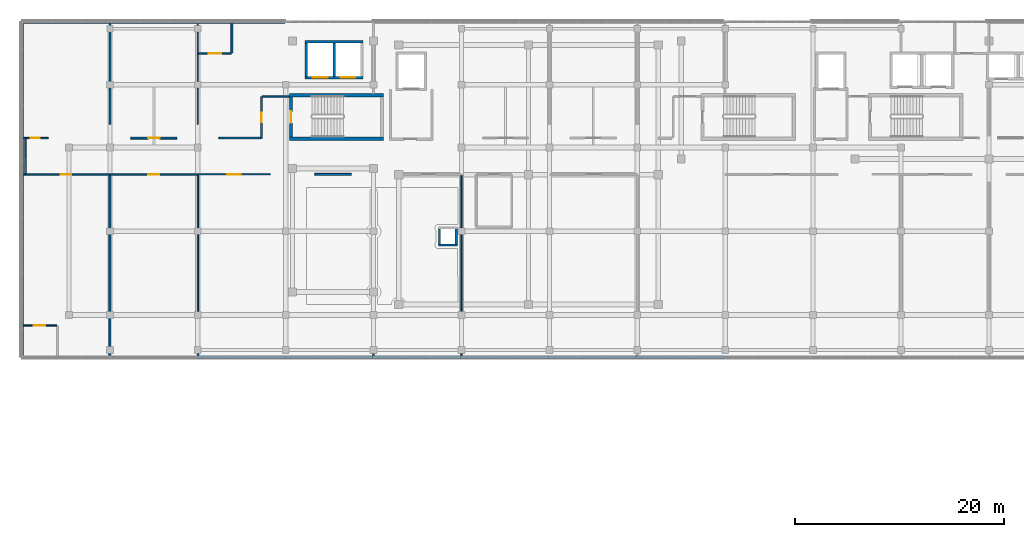
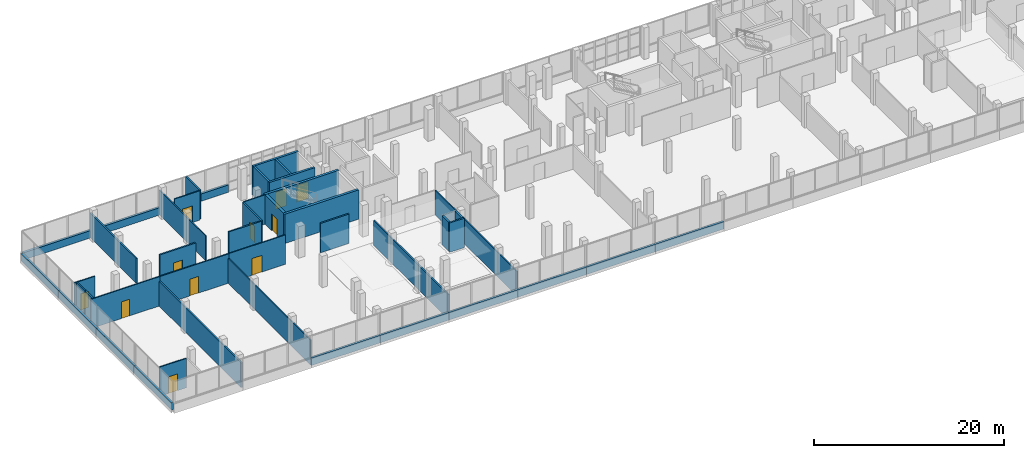
# One storey, part 66 of 76: 43 walls, 11 doors, 11 openings.
"""IFC4 building model written with IfcOpenShell, lengths in metres."""

from ifc_helpers import new_model, si_unit, direction, frame, frame_2d, origin, place, context, subcontext, project, spatial, rectangle, extrude, material, layer, layer_set, type_object, element, fill, save


model = new_model("IFC4")

# Units and contexts
model_context = context("Model", 3, precision=1e-05, world=origin(), true_north=direction((0.0, 1.0)))
body_context = subcontext(model_context, "Body", "Model", "MODEL_VIEW")
ifc_project = project(units=[si_unit("LENGTHUNIT", "METRE"), si_unit("AREAUNIT", "SQUARE_METRE"), si_unit("VOLUMEUNIT", "CUBIC_METRE"), si_unit("PLANEANGLEUNIT", "RADIAN"), si_unit("MASSUNIT", "GRAM", prefix="KILO")], contexts=[model_context])

# Site, building, storey
site_placement = place(None, origin())
site = spatial("IfcSite", under=ifc_project, at=site_placement, CompositionType="ELEMENT")
building_placement = place(site_placement, origin())
building = spatial("IfcBuilding", under=site, at=building_placement, Name="Selatvlak General Hospital", CompositionType="ELEMENT")
storey_placement = place(building_placement, frame((0.0, 0.0, 27.300048828125)))
storey = spatial("IfcBuildingStorey", under=building, at=storey_placement, Name="L06", CompositionType="ELEMENT", Elevation=27.300048828125)

# Walls
ifc_material_1 = material(Name="Precast concrete C40/50 - white Bauhaus spandrel", Category="concrete")
ifc_layer_1 = layer(ifc_material_1, 0.280029296875, Name="Precast concrete C40/50 - white Bauhaus spandrel", Category="concrete")
ifc_layer_set_1 = layer_set([ifc_layer_1], Name="Precast concrete C40/50 - white Bauhaus spandrel")
wall_type_1 = type_object("IfcWallType", Name="WALL-EW-02", PredefinedType="SOLIDWALL", material=ifc_layer_set_1)
wall_1_placement = place(storey_placement, frame((22.800048828125, 88.139892578125, 0.0), z_axis=(0.0, 0.0, 1.0), x_axis=(0.0, 1.0, 0.0)))
element("IfcWall", 1, at=wall_1_placement, inside=storey, type_object=wall_type_1, Name="L06 Bauhaus spandrel sill wall 0523", PredefinedType="SOLIDWALL", context=body_context, shape_type="SweptSolid", body=[
    extrude(rectangle(XDim=7.858154296875, YDim=0.280029296875, at=frame_2d((3.92919921875, 0.0))), origin(), (0.0, 0.0, 1.0), 0.93994140625),
])
wall_2_placement = place(storey_placement, frame((22.800048828125, 96.001953125, 0.0), z_axis=(0.0, 0.0, 1.0), x_axis=(0.0, 1.0, 0.0)))
element("IfcWall", 2, at=wall_2_placement, inside=storey, type_object=wall_type_1, Name="L06 Bauhaus spandrel sill wall 0524", PredefinedType="SOLIDWALL", context=body_context, shape_type="SweptSolid", body=[
    extrude(rectangle(XDim=7.9951171875, YDim=0.280029296875, at=frame_2d((3.99755859375, 0.0))), origin(), (0.0, 0.0, 1.0), 0.93994140625),
])
wall_3_placement = place(storey_placement, frame((22.800048828125, 104.0009765625, 0.0), z_axis=(0.0, 0.0, 1.0), x_axis=(0.0, 1.0, 0.0)))
element("IfcWall", 3, at=wall_3_placement, inside=storey, type_object=wall_type_1, Name="L06 Bauhaus spandrel sill wall 0525", PredefinedType="SOLIDWALL", context=body_context, shape_type="SweptSolid", body=[
    extrude(rectangle(XDim=7.99609375, YDim=0.280029296875, at=frame_2d((3.998046875, 0.0))), origin(), (0.0, 0.0, 1.0), 0.93994140625),
])
wall_4_placement = place(storey_placement, frame((22.800048828125, 112.0009765625, 0.0), z_axis=(0.0, 0.0, 1.0), x_axis=(0.0, 1.0, 0.0)))
element("IfcWall", 4, at=wall_4_placement, inside=storey, type_object=wall_type_1, Name="L06 Bauhaus spandrel sill wall 0526", PredefinedType="SOLIDWALL", context=body_context, shape_type="SweptSolid", body=[
    extrude(rectangle(XDim=7.85791015625, YDim=0.280029296875, at=frame_2d((3.928955078125, 0.0))), origin(), (0.0, 0.0, 1.0), 0.93994140625),
])
wall_5_placement = place(storey_placement, frame((22.93994140625, 119.9990234375, 0.0), z_axis=(0.0, 0.0, 1.0), x_axis=(1.0, 0.0, 0.0)))
element("IfcWall", 5, at=wall_5_placement, inside=storey, type_object=wall_type_1, Name="L06 Bauhaus spandrel sill wall 0527", PredefinedType="SOLIDWALL", context=body_context, shape_type="SweptSolid", body=[
    extrude(rectangle(XDim=8.237060546875, YDim=0.280029296875, at=frame_2d((4.11865234375, 0.0))), origin(), (0.0, 0.0, 1.0), 0.93994140625),
])
for number, where, z_axis, x_axis, name in (
    (6, (31.180908203125, 119.9990234375, 0.0), (0.0, 0.0, 1.0), (1.0, 0.0, 0.0), "L06 Bauhaus spandrel sill wall 0528"),
    (7, (39.56005859375, 119.9990234375, 0.0), (0.0, 0.0, 1.0), (1.0, 0.0, 0.0), "L06 Bauhaus spandrel sill wall 0529"),
    (8, (89.830078125, 88.0, 0.0), (0.0, 0.0, 1.0), (-1.0, 0.0, 0.0), "L06 Bauhaus spandrel sill wall 0557"),
    (9, (81.450927734375, 88.0, 0.0), (0.0, 0.0, 1.0), (-1.0, 0.0, 0.0), "L06 Bauhaus spandrel sill wall 0558"),
    (10, (73.072021484375, 88.0, 0.0), (0.0, 0.0, 1.0), (-1.0, 0.0, 0.0), "L06 Bauhaus spandrel sill wall 0559"),
    (11, (64.693115234375, 88.0, 0.0), (0.0, 0.0, 1.0), (-1.0, 0.0, 0.0), "L06 Bauhaus spandrel sill wall 0560"),
    (12, (56.31396484375, 88.0, 0.0), (0.0, 0.0, 1.0), (-1.0, 0.0, 0.0), "L06 Bauhaus spandrel sill wall 0561"),
    (13, (47.93505859375, 88.0, 0.0), (0.0, 0.0, 1.0), (-1.0, 0.0, 0.0), "L06 Bauhaus spandrel sill wall 0562"),
):
    element("IfcWall", number, at=place(storey_placement, frame(where, z_axis=z_axis, x_axis=x_axis)), inside=storey, type_object=wall_type_1, Name=name, PredefinedType="SOLIDWALL", context=body_context, shape_type="SweptSolid", body=[
        extrude(rectangle(XDim=8.375, YDim=0.280029296875, at=frame_2d((4.1875, 0.0))), origin(), (0.0, 0.0, 1.0), 0.93994140625),
    ])
ifc_material_2 = material(Name="Concrete C40/50", Category="concrete")
ifc_layer_2 = layer(ifc_material_2, 0.199951171875, Name="Concrete C40/50", Category="concrete")
ifc_layer_set_2 = layer_set([ifc_layer_2], Name="Concrete C40/50")
wall_type_2 = type_object("IfcWallType", Name="WALL-IW-02", PredefinedType="SOLIDWALL", material=ifc_layer_set_2)
wall_6_placement = place(storey_placement, frame((62.60009765625, 98.699951171875, 0.0), z_axis=(0.0, 0.0, 1.0), x_axis=(1.0, 0.0, 0.0)))
element("IfcWall", 14, at=wall_6_placement, inside=storey, type_object=wall_type_2, Name="Service riser 1 shaft wall L06 S", PredefinedType="SOLIDWALL", context=body_context, shape_type="SweptSolid", body=[
    extrude(rectangle(XDim=1.7998046875, YDim=0.199951171875, at=frame_2d((0.89990234375, 0.0))), origin(), (0.0, 0.0, 1.0), 3.780029296875),
])
for number, where, z_axis, x_axis, name in (
    (15, (64.300048828125, 98.800048828125, 0.0), (0.0, 0.0, 1.0), (0.0, 1.0, 0.0), "Service riser 1 shaft wall L06 E"),
    (16, (62.699951171875, 100.199951171875, 0.0), (0.0, 0.0, 1.0), (0.0, -1.0, 0.0), "Service riser 1 shaft wall L06 W"),
):
    element("IfcWall", number, at=place(storey_placement, frame(where, z_axis=z_axis, x_axis=x_axis)), inside=storey, type_object=wall_type_2, Name=name, PredefinedType="SOLIDWALL", context=body_context, shape_type="SweptSolid", body=[
        extrude(rectangle(XDim=1.39990234375, YDim=0.199951171875, at=frame_2d((0.699951171875, 0.0))), origin(), (0.0, 0.0, 1.0), 3.780029296875),
    ])
ifc_material_3 = material(Name="Acoustic gypsum stud partition")
ifc_layer_3 = layer(ifc_material_3, 0.179931640625, Name="Acoustic gypsum stud partition")
ifc_layer_set_3 = layer_set([ifc_layer_3], Name="Acoustic gypsum stud partition")
wall_type_3 = type_object("IfcWallType", Name="WALL-PT-01", PredefinedType="PARTITIONING", material=ifc_layer_set_3)
wall_7_placement = place(storey_placement, frame((31.199951171875, 105.3759765625, 0.0), z_axis=(0.0, 0.0, 1.0), x_axis=(0.0, -1.0, 0.0)))
element("IfcWall", 17, at=wall_7_placement, inside=storey, type_object=wall_type_3, Name="L06 clinical partition PT-L06-1974", PredefinedType="PARTITIONING", context=body_context, shape_type="SweptSolid", body=[
    extrude(rectangle(XDim=17.333984375, YDim=0.179931640625, at=frame_2d((8.6669921875, 0.0))), origin(), (0.0, 0.0, 1.0), 3.179931640625),
])
wall_8_placement = place(storey_placement, frame((50.784912109375, 105.43994140625, 0.0), z_axis=(0.0, 0.0, 1.0), x_axis=(1.0, 0.0, 0.0)))
element("IfcWall", 18, at=wall_8_placement, inside=storey, type_object=wall_type_3, Name="L06 clinical partition PT-L06-1980", PredefinedType="PARTITIONING", context=body_context, shape_type="SweptSolid", body=[
    extrude(rectangle(XDim=3.47998046875, YDim=0.179931640625, at=frame_2d((1.739990234375, 0.0))), origin(), (0.0, 0.0, 1.0), 3.780029296875),
])

# Wall, opening, door
wall_9_placement = place(storey_placement, frame((37.589111328125, 108.909912109375, 0.0), z_axis=(0.0, 0.0, 1.0), x_axis=(-1.0, 0.0, 0.0)))
wall_9 = element("IfcWall", 19, at=wall_9_placement, inside=storey, type_object=wall_type_3, Name="L06 clinical partition PT-L06-2020", PredefinedType="PARTITIONING", context=body_context, shape_type="SweptSolid", body=[
    extrude(rectangle(XDim=4.378173828125, YDim=0.179931640625, at=frame_2d((2.18896484375, 0.0))), origin(), (0.0, 0.0, 1.0), 3.780029296875),
])
opening_1_placement = place(wall_9_placement, frame((1.638916015625, 0.0, 0.0)))
opening_1 = element("IfcOpeningElement", 20, at=opening_1_placement, cuts=wall_9, Name="Opening D-22", PredefinedType="OPENING", context=body_context, shape_type="SweptSolid", body=[
    extrude(rectangle(XDim=1.10009765625, YDim=2.14990234375, at=frame_2d((0.550048828125, 1.074951171875))), frame((0.0, 0.099853515625, 0.0), z_axis=(0.0, -1.0, 0.0), x_axis=(1.0, 0.0, 0.0)), (0.0, 0.0, 1.0), 0.199951171875),
])
ifc_material_4 = material(Name="Pharmacy security fire door")
door_type_1 = type_object("IfcDoorType", Name="DOOR-D-22", OperationType="NOTDEFINED", PredefinedType="DOOR", material=ifc_material_4)
door_1_placement = place(opening_1_placement, origin())
door_1 = element("IfcDoor", 21, at=door_1_placement, inside=storey, type_object=door_type_1, Name="L06 Telemetry Nurse Monitoring Room 18 door", OperationType="SINGLE_SWING_RIGHT", OverallHeight=2.14990234375, OverallWidth=1.10009765625, PredefinedType="DOOR", context=body_context, shape_type="SweptSolid", body=[
    extrude(rectangle(XDim=1.10009765625, YDim=2.14990234375, at=frame_2d((0.550048828125, 1.074951171875))), frame((0.0, 0.02490234375, 0.0), z_axis=(0.0, -1.0, 0.0), x_axis=(1.0, 0.0, 0.0)), (0.0, 0.0, 1.0), 0.050048828125),
])
fill(opening_1, door_1)

wall_10_placement = place(storey_placement, frame((45.68994140625, 112.840087890625, 0.0), z_axis=(0.0, 0.0, 1.0), x_axis=(0.0, -1.0, 0.0)))
wall_10 = element("IfcWall", 22, at=wall_10_placement, inside=storey, type_object=wall_type_3, Name="L06 clinical partition PT-L06-2022", PredefinedType="PARTITIONING", context=body_context, shape_type="SweptSolid", body=[
    extrude(rectangle(XDim=3.93017578125, YDim=0.179931640625, at=frame_2d((1.965087890625, 0.0))), origin(), (0.0, 0.0, 1.0), 3.780029296875),
])
opening_2_placement = place(wall_10_placement, frame((1.489990234375, 0.0, 0.0)))
opening_2 = element("IfcOpeningElement", 23, at=opening_2_placement, cuts=wall_10, Name="Opening D-02", PredefinedType="OPENING", context=body_context, shape_type="SweptSolid", body=[
    extrude(rectangle(XDim=0.949951171875, YDim=2.10009765625, at=frame_2d((0.47509765625, 1.050048828125))), frame((0.0, 0.099853515625, 0.0), z_axis=(0.0, -1.0, 0.0), x_axis=(1.0, 0.0, 0.0)), (0.0, 0.0, 1.0), 0.199951171875),
])
ifc_material_5 = material(Name="Moisture-resistant en-suite door")
door_type_2 = type_object("IfcDoorType", Name="DOOR-D-02", OperationType="NOTDEFINED", PredefinedType="DOOR", material=ifc_material_5)
door_2_placement = place(opening_2_placement, origin())
door_2 = element("IfcDoor", 24, at=door_2_placement, inside=storey, type_object=door_type_2, Name="L06 Single Patient Room 19 door", OperationType="SINGLE_SWING_LEFT", OverallHeight=2.10009765625, OverallWidth=0.949951171875, PredefinedType="DOOR", context=body_context, shape_type="SweptSolid", body=[
    extrude(rectangle(XDim=0.949951171875, YDim=2.10009765625, at=frame_2d((0.47509765625, 1.050048828125))), frame((0.0, 0.02490234375, 0.0), z_axis=(0.0, -1.0, 0.0), x_axis=(1.0, 0.0, 0.0)), (0.0, 0.0, 1.0), 0.050048828125),
])
fill(opening_2, door_2)

# Walls
wall_11_placement = place(storey_placement, frame((42.860107421875, 117.06005859375, 0.0), z_axis=(0.0, 0.0, 1.0), x_axis=(0.0, 1.0, 0.0)))
element("IfcWall", 25, at=wall_11_placement, inside=storey, type_object=wall_type_3, Name="L06 clinical partition PT-L06-2025", PredefinedType="PARTITIONING", context=body_context, shape_type="SweptSolid", body=[
    extrude(rectangle(XDim=2.89697265625, YDim=0.179931640625, at=frame_2d((1.448486328125, 0.0))), origin(), (0.0, 0.0, 1.0), 3.780029296875),
])
ifc_layer_4 = layer(ifc_material_3, 0.1650390625, Name="Acoustic gypsum stud partition")
ifc_layer_set_4 = layer_set([ifc_layer_4], Name="Acoustic gypsum stud partition")
wall_type_4 = type_object("IfcWallType", Name="WALL-PT-02", PredefinedType="PARTITIONING", material=ifc_layer_set_4)
wall_12_placement = place(storey_placement, frame((23.139892578125, 107.10009765625, 0.0), z_axis=(0.0, 0.0, 1.0), x_axis=(0.0, -1.0, 0.0)))
element("IfcWall", 26, at=wall_12_placement, inside=storey, type_object=wall_type_4, Name="L06 clinical partition PT-L06-1972", PredefinedType="PARTITIONING", context=body_context, shape_type="SweptSolid", body=[
    extrude(rectangle(XDim=1.60009765625, YDim=0.1650390625, at=frame_2d((0.800048828125, 0.0))), origin(), (0.0, 0.0, 1.0), 3.780029296875),
])
wall_13_placement = place(storey_placement, frame((56.39990234375, 103.7900390625, 0.0), z_axis=(0.0, 0.0, 1.0), x_axis=(0.0, -1.0, 0.0)))
element("IfcWall", 27, at=wall_13_placement, inside=storey, type_object=wall_type_4, Name="L06 clinical partition PT-L06-1981", PredefinedType="PARTITIONING", context=body_context, shape_type="SweptSolid", body=[
    extrude(rectangle(XDim=15.748046875, YDim=0.1650390625, at=frame_2d((7.8740234375, 0.0))), origin(), (0.0, 0.0, 1.0), 3.179931640625),
])
wall_14_placement = place(storey_placement, frame((31.199951171875, 119.95703125, 0.0), z_axis=(0.0, 0.0, 1.0), x_axis=(0.0, -1.0, 0.0)))
element("IfcWall", 28, at=wall_14_placement, inside=storey, type_object=wall_type_4, Name="L06 clinical partition PT-L06-2016", PredefinedType="PARTITIONING", context=body_context, shape_type="SweptSolid", body=[
    extrude(rectangle(XDim=9.7470703125, YDim=0.1650390625, at=frame_2d((4.87353515625, 0.0))), origin(), (0.0, 0.0, 1.0), 3.179931640625),
])
wall_15_placement = place(storey_placement, frame((45.60400390625, 108.909912109375, 0.0), z_axis=(0.0, 0.0, 1.0), x_axis=(-1.0, 0.0, 0.0)))
element("IfcWall", 29, at=wall_15_placement, inside=storey, type_object=wall_type_4, Name="L06 clinical partition PT-L06-2023", PredefinedType="PARTITIONING", context=body_context, shape_type="SweptSolid", body=[
    extrude(rectangle(XDim=3.992919921875, YDim=0.1650390625, at=frame_2d((1.99658203125, 0.0))), origin(), (0.0, 0.0, 1.0), 3.780029296875),
])

# Wall, opening, door
ifc_layer_5 = layer(ifc_material_3, 0.14990234375, Name="Acoustic gypsum stud partition")
ifc_layer_set_5 = layer_set([ifc_layer_5], Name="Acoustic gypsum stud partition")
wall_type_5 = type_object("IfcWallType", Name="WALL-PT-03", PredefinedType="PARTITIONING", material=ifc_layer_set_5)
wall_16_placement = place(storey_placement, frame((31.199951171875, 105.43994140625, 0.0), z_axis=(0.0, 0.0, 1.0), x_axis=(1.0, 0.0, 0.0)))
wall_16 = element("IfcWall", 30, at=wall_16_placement, inside=storey, type_object=wall_type_5, Name="L06 clinical partition PT-L06-1977", PredefinedType="PARTITIONING", context=body_context, shape_type="SweptSolid", body=[
    extrude(rectangle(XDim=8.400146484375, YDim=0.14990234375, at=frame_2d((4.2001953125, 0.0))), origin(), (0.0, 0.0, 1.0), 3.780029296875),
])
opening_3_placement = place(wall_16_placement, frame((3.675048828125, 0.0, 0.0)))
opening_3 = element("IfcOpeningElement", 31, at=opening_3_placement, cuts=wall_16, Name="Opening D-04", PredefinedType="OPENING", context=body_context, shape_type="SweptSolid", body=[
    extrude(rectangle(XDim=1.050048828125, YDim=2.14990234375, at=frame_2d((0.52490234375, 1.074951171875))), frame((0.0, 0.0849609375, 0.0), z_axis=(0.0, -1.0, 0.0), x_axis=(1.0, 0.0, 0.0)), (0.0, 0.0, 1.0), 0.169921875),
])
ifc_material_6 = material(Name="Consultation room door")
door_type_3 = type_object("IfcDoorType", Name="DOOR-D-04", OperationType="NOTDEFINED", PredefinedType="DOOR", material=ifc_material_6)
door_3_placement = place(opening_3_placement, origin())
door_3 = element("IfcDoor", 32, at=door_3_placement, inside=storey, type_object=door_type_3, Name="L06 Coronary Care Unit Bay 02 door", OperationType="SINGLE_SWING_LEFT", OverallHeight=2.14990234375, OverallWidth=1.050048828125, PredefinedType="DOOR", context=body_context, shape_type="SweptSolid", body=[
    extrude(rectangle(XDim=1.050048828125, YDim=2.14990234375, at=frame_2d((0.52490234375, 1.074951171875))), frame((0.0, 0.02490234375, 0.0), z_axis=(0.0, -1.0, 0.0), x_axis=(1.0, 0.0, 0.0)), (0.0, 0.0, 1.0), 0.050048828125),
])
fill(opening_3, door_3)

wall_17_placement = place(storey_placement, frame((25.2890625, 108.909912109375, 0.0), z_axis=(0.0, 0.0, 1.0), x_axis=(-1.0, 0.0, 0.0)))
wall_17 = element("IfcWall", 33, at=wall_17_placement, inside=storey, type_object=wall_type_5, Name="L06 clinical partition PT-L06-2017", PredefinedType="PARTITIONING", context=body_context, shape_type="SweptSolid", body=[
    extrude(rectangle(XDim=2.447021484375, YDim=0.14990234375, at=frame_2d((1.2236328125, 0.0))), origin(), (0.0, 0.0, 1.0), 3.780029296875),
])
opening_4_placement = place(wall_17_placement, frame((0.77392578125, 0.0, 0.0)))
opening_4 = element("IfcOpeningElement", 34, at=opening_4_placement, cuts=wall_17, Name="Opening D-01", PredefinedType="OPENING", context=body_context, shape_type="SweptSolid", body=[
    extrude(rectangle(XDim=0.89990234375, YDim=2.10009765625, at=frame_2d((0.449951171875, 1.050048828125))), frame((0.0, 0.0849609375, 0.0), z_axis=(0.0, -1.0, 0.0), x_axis=(1.0, 0.0, 0.0)), (0.0, 0.0, 1.0), 0.169921875),
])
ifc_material_7 = material(Name="Hardwood clinical room door", Category="wood")
door_type_4 = type_object("IfcDoorType", Name="DOOR-D-01", OperationType="NOTDEFINED", PredefinedType="DOOR", material=ifc_material_7)
door_4_placement = place(opening_4_placement, origin())
door_4 = element("IfcDoor", 35, at=door_4_placement, inside=storey, type_object=door_type_4, Name="L06 Cardiac Rehabilitation Room 17 door", OperationType="SINGLE_SWING_LEFT", OverallHeight=2.10009765625, OverallWidth=0.89990234375, PredefinedType="DOOR", context=body_context, shape_type="SweptSolid", body=[
    extrude(rectangle(XDim=0.89990234375, YDim=2.10009765625, at=frame_2d((0.449951171875, 1.050048828125))), frame((0.0, 0.02490234375, 0.0), z_axis=(0.0, -1.0, 0.0), x_axis=(1.0, 0.0, 0.0)), (0.0, 0.0, 1.0), 0.050048828125),
])
fill(opening_4, door_4)

ifc_material_8 = material(Name="Moisture-resistant clinical partition")
ifc_layer_6 = layer(ifc_material_8, 0.135009765625, Name="Moisture-resistant clinical partition")
ifc_layer_set_6 = layer_set([ifc_layer_6], Name="Moisture-resistant clinical partition")
wall_type_6 = type_object("IfcWallType", Name="WALL-PT-04", PredefinedType="PARTITIONING", material=ifc_layer_set_6)
wall_18_placement = place(storey_placement, frame((22.842041015625, 105.43994140625, 0.0), z_axis=(0.0, 0.0, 1.0), x_axis=(1.0, 0.0, 0.0)))
wall_18 = element("IfcWall", 36, at=wall_18_placement, inside=storey, type_object=wall_type_6, Name="L06 clinical partition PT-L06-1973", PredefinedType="PARTITIONING", context=body_context, shape_type="SweptSolid", body=[
    extrude(rectangle(XDim=8.35791015625, YDim=0.135009765625, at=frame_2d((4.178955078125, 0.0))), origin(), (0.0, 0.0, 1.0), 3.780029296875),
])
opening_5_placement = place(wall_18_placement, frame((3.678955078125, 0.0, 0.0)))
opening_5 = element("IfcOpeningElement", 37, at=opening_5_placement, cuts=wall_18, Name="Opening D-21", PredefinedType="OPENING", context=body_context, shape_type="SweptSolid", body=[
    extrude(rectangle(XDim=1.0, YDim=2.14990234375, at=frame_2d((0.5, 1.074951171875))), frame((0.0, 0.077392578125, 0.0), z_axis=(0.0, -1.0, 0.0), x_axis=(1.0, 0.0, 0.0)), (0.0, 0.0, 1.0), 0.155029296875),
])
ifc_material_9 = material(Name="Laboratory fire door")
door_type_5 = type_object("IfcDoorType", Name="DOOR-D-21", OperationType="NOTDEFINED", PredefinedType="DOOR", material=ifc_material_9)
door_5_placement = place(opening_5_placement, origin())
door_5 = element("IfcDoor", 38, at=door_5_placement, inside=storey, type_object=door_type_5, Name="L06 Single Patient Room 01 door", OperationType="SINGLE_SWING_LEFT", OverallHeight=2.14990234375, OverallWidth=1.0, PredefinedType="DOOR", context=body_context, shape_type="SweptSolid", body=[
    extrude(rectangle(XDim=1.0, YDim=2.14990234375, at=frame_2d((0.5, 1.074951171875))), frame((0.0, 0.02490234375, 0.0), z_axis=(0.0, -1.0, 0.0), x_axis=(1.0, 0.0, 0.0)), (0.0, 0.0, 1.0), 0.050048828125),
])
fill(opening_5, door_5)

wall_19_placement = place(storey_placement, frame((26.139892578125, 91.0, 0.0), z_axis=(0.0, 0.0, 1.0), x_axis=(-1.0, 0.0, 0.0)))
wall_19 = element("IfcWall", 39, at=wall_19_placement, inside=storey, type_object=wall_type_6, Name="L06 clinical partition PT-L06-1976", PredefinedType="PARTITIONING", context=body_context, shape_type="SweptSolid", body=[
    extrude(rectangle(XDim=3.2978515625, YDim=0.135009765625, at=frame_2d((1.64892578125, 0.0))), origin(), (0.0, 0.0, 1.0), 3.780029296875),
])
opening_6_placement = place(wall_19_placement, frame((1.09912109375, 0.0, 0.0)))
opening_6 = element("IfcOpeningElement", 40, at=opening_6_placement, cuts=wall_19, Name="Opening D-22", PredefinedType="OPENING", context=body_context, shape_type="SweptSolid", body=[
    extrude(rectangle(XDim=1.10009765625, YDim=2.14990234375, at=frame_2d((0.550048828125, 1.074951171875))), frame((0.0, 0.077392578125, 0.0), z_axis=(0.0, -1.0, 0.0), x_axis=(1.0, 0.0, 0.0)), (0.0, 0.0, 1.0), 0.155029296875),
])
door_6_placement = place(opening_6_placement, origin())
door_6 = element("IfcDoor", 41, at=door_6_placement, inside=storey, type_object=door_type_1, Name="L06 Patient En-Suite WC 01 door", OperationType="SINGLE_SWING_RIGHT", OverallHeight=2.14990234375, OverallWidth=1.10009765625, PredefinedType="DOOR", context=body_context, shape_type="SweptSolid", body=[
    extrude(rectangle(XDim=1.10009765625, YDim=2.14990234375, at=frame_2d((0.550048828125, 1.074951171875))), frame((0.0, 0.02490234375, 0.0), z_axis=(0.0, -1.0, 0.0), x_axis=(1.0, 0.0, 0.0)), (0.0, 0.0, 1.0), 0.050048828125),
])
fill(opening_6, door_6)

# Walls
for number, where, z_axis, x_axis, name in (
    (42, (39.60009765625, 105.368896484375, 0.0), (0.0, 0.0, 1.0), (0.0, -1.0, 0.0), "L06 clinical partition PT-L06-1978"),
    (43, (64.800048828125, 105.368896484375, 0.0), (0.0, 0.0, 1.0), (0.0, -1.0, 0.0), "L06 clinical partition PT-L06-1983"),
):
    element("IfcWall", number, at=place(storey_placement, frame(where, z_axis=z_axis, x_axis=x_axis)), inside=storey, type_object=wall_type_6, Name=name, PredefinedType="PARTITIONING", context=body_context, shape_type="SweptSolid", body=[
        extrude(rectangle(XDim=17.326904296875, YDim=0.135009765625, at=frame_2d((8.66357421875, 0.0))), origin(), (0.0, 0.0, 1.0), 3.179931640625),
    ])
wall_20_placement = place(storey_placement, frame((23.139892578125, 108.839111328125, 0.0), z_axis=(0.0, 0.0, 1.0), x_axis=(0.0, -1.0, 0.0)))
element("IfcWall", 44, at=wall_20_placement, inside=storey, type_object=wall_type_6, Name="L06 clinical partition PT-L06-2018", PredefinedType="PARTITIONING", context=body_context, shape_type="SweptSolid", body=[
    extrude(rectangle(XDim=1.739013671875, YDim=0.135009765625, at=frame_2d((0.86962890625, 0.0))), origin(), (0.0, 0.0, 1.0), 3.780029296875),
])
wall_21_placement = place(storey_placement, frame((48.340087890625, 112.89990234375, 0.0), z_axis=(0.0, 0.0, 1.0), x_axis=(-1.0, 0.0, 0.0)))
element("IfcWall", 45, at=wall_21_placement, inside=storey, type_object=wall_type_6, Name="L06 clinical partition PT-L06-2021", PredefinedType="PARTITIONING", context=body_context, shape_type="SweptSolid", body=[
    extrude(rectangle(XDim=2.590087890625, YDim=0.135009765625, at=frame_2d((1.294921875, 0.0))), origin(), (0.0, 0.0, 1.0), 3.780029296875),
])

# Wall, opening, door
wall_22_placement = place(storey_placement, frame((39.656005859375, 117.0, 0.0), z_axis=(0.0, 0.0, 1.0), x_axis=(1.0, 0.0, 0.0)))
wall_22 = element("IfcWall", 46, at=wall_22_placement, inside=storey, type_object=wall_type_6, Name="L06 clinical partition PT-L06-2024", PredefinedType="PARTITIONING", context=body_context, shape_type="SweptSolid", body=[
    extrude(rectangle(XDim=3.14404296875, YDim=0.135009765625, at=frame_2d((1.572021484375, 0.0))), origin(), (0.0, 0.0, 1.0), 3.780029296875),
])
opening_7_placement = place(wall_22_placement, frame((0.971923828125, 0.0, 0.0)))
opening_7 = element("IfcOpeningElement", 47, at=opening_7_placement, cuts=wall_22, Name="Opening D-07", PredefinedType="OPENING", context=body_context, shape_type="SweptSolid", body=[
    extrude(rectangle(XDim=1.199951171875, YDim=2.14990234375, at=frame_2d((0.60009765625, 1.074951171875))), frame((0.0, 0.077392578125, 0.0), z_axis=(0.0, -1.0, 0.0), x_axis=(1.0, 0.0, 0.0)), (0.0, 0.0, 1.0), 0.155029296875),
])
ifc_material_10 = material(Name="Plant and store fire door")
door_type_6 = type_object("IfcDoorType", Name="DOOR-D-07", OperationType="NOTDEFINED", PredefinedType="DOOR", material=ifc_material_10)
door_7_placement = place(opening_7_placement, origin())
door_7 = element("IfcDoor", 48, at=door_7_placement, inside=storey, type_object=door_type_6, Name="L06 Patient En-Suite WC 19 door", OperationType="SINGLE_SWING_RIGHT", OverallHeight=2.14990234375, OverallWidth=1.199951171875, PredefinedType="DOOR", context=body_context, shape_type="SweptSolid", body=[
    extrude(rectangle(XDim=1.199951171875, YDim=2.14990234375, at=frame_2d((0.60009765625, 1.074951171875))), frame((0.0, 0.02490234375, 0.0), z_axis=(0.0, -1.0, 0.0), x_axis=(1.0, 0.0, 0.0)), (0.0, 0.0, 1.0), 0.050048828125),
])
fill(opening_7, door_7)

ifc_layer_7 = layer(ifc_material_8, 0.1201171875, Name="Moisture-resistant clinical partition")
ifc_layer_set_7 = layer_set([ifc_layer_7], Name="Moisture-resistant clinical partition")
wall_type_7 = type_object("IfcWallType", Name="WALL-PT-05", PredefinedType="PARTITIONING", material=ifc_layer_set_7)
wall_23_placement = place(storey_placement, frame((39.60009765625, 105.43994140625, 0.0), z_axis=(0.0, 0.0, 1.0), x_axis=(1.0, 0.0, 0.0)))
wall_23 = element("IfcWall", 49, at=wall_23_placement, inside=storey, type_object=wall_type_7, Name="L06 clinical partition PT-L06-1979", PredefinedType="PARTITIONING", context=body_context, shape_type="SweptSolid", body=[
    extrude(rectangle(XDim=6.914794921875, YDim=0.1201171875, at=frame_2d((3.45751953125, 0.0))), origin(), (0.0, 0.0, 1.0), 3.780029296875),
])
opening_8_placement = place(wall_23_placement, frame((2.83203125, 0.0, 0.0)))
opening_8 = element("IfcOpeningElement", 50, at=opening_8_placement, cuts=wall_23, Name="Opening D-08", PredefinedType="OPENING", context=body_context, shape_type="SweptSolid", body=[
    extrude(rectangle(XDim=1.25, YDim=2.14990234375, at=frame_2d((0.625, 1.074951171875))), frame((0.0, 0.070068359375, 0.0), z_axis=(0.0, -1.0, 0.0), x_axis=(1.0, 0.0, 0.0)), (0.0, 0.0, 1.0), 0.14013671875),
])
ifc_material_11 = material(Name="Diagnostic treatment door")
door_type_7 = type_object("IfcDoorType", Name="DOOR-D-08", OperationType="NOTDEFINED", PredefinedType="DOOR", material=ifc_material_11)
door_8_placement = place(opening_8_placement, origin())
door_8 = element("IfcDoor", 51, at=door_8_placement, inside=storey, type_object=door_type_7, Name="L06 Acute Stroke Inpatient Ward 03 door", OperationType="SINGLE_SWING_RIGHT", OverallHeight=2.14990234375, OverallWidth=1.25, PredefinedType="DOOR", context=body_context, shape_type="SweptSolid", body=[
    extrude(rectangle(XDim=1.25, YDim=2.14990234375, at=frame_2d((0.625, 1.074951171875))), frame((0.0, 0.02490234375, 0.0), z_axis=(0.0, -1.0, 0.0), x_axis=(1.0, 0.0, 0.0)), (0.0, 0.0, 1.0), 0.050048828125),
])
fill(opening_8, door_8)

# Walls
wall_24_placement = place(storey_placement, frame((39.60009765625, 119.95703125, 0.0), z_axis=(0.0, 0.0, 1.0), x_axis=(0.0, -1.0, 0.0)))
element("IfcWall", 52, at=wall_24_placement, inside=storey, type_object=wall_type_7, Name="L06 clinical partition PT-L06-2019", PredefinedType="PARTITIONING", context=body_context, shape_type="SweptSolid", body=[
    extrude(rectangle(XDim=9.7470703125, YDim=0.1201171875, at=frame_2d((4.87353515625, 0.0))), origin(), (0.0, 0.0, 1.0), 3.179931640625),
])
ifc_material_12 = material(Name="Concrete C45/55", Category="concrete")
ifc_layer_8 = layer(ifc_material_12, 0.300048828125, Name="Concrete C45/55", Category="concrete")
ifc_layer_set_8 = layer_set([ifc_layer_8], Name="Concrete C45/55")
wall_type_8 = type_object("IfcWallType", Name="WALL-SW-02", PredefinedType="SHEAR", material=ifc_layer_set_8)
for number, where, z_axis, x_axis, name in (
    (53, (48.340087890625, 108.840087890625, 0.0), (0.0, 0.0, 1.0), (1.0, 0.0, 0.0), "ST-01 core shear wall L06 S"),
    (54, (57.360107421875, 113.0, 0.0), (0.0, 0.0, 1.0), (-1.0, 0.0, 0.0), "ST-01 core shear wall L06 N"),
):
    element("IfcWall", number, at=place(storey_placement, frame(where, z_axis=z_axis, x_axis=x_axis)), inside=storey, type_object=wall_type_8, Name=name, PredefinedType="SHEAR", context=body_context, shape_type="SweptSolid", body=[
        extrude(rectangle(XDim=9.02001953125, YDim=0.300048828125, at=frame_2d((4.510009765625, 0.0))), origin(), (0.0, 0.0, 1.0), 3.780029296875),
    ])

# Wall, opening, door
wall_25_placement = place(storey_placement, frame((48.489990234375, 112.85009765625, 0.0), z_axis=(0.0, 0.0, 1.0), x_axis=(0.0, -1.0, 0.0)))
wall_25 = element("IfcWall", 55, at=wall_25_placement, inside=storey, type_object=wall_type_8, Name="ST-01 core shear wall L06 W", PredefinedType="SHEAR", context=body_context, shape_type="SweptSolid", body=[
    extrude(rectangle(XDim=3.860107421875, YDim=0.300048828125, at=frame_2d((1.93017578125, 0.0))), origin(), (0.0, 0.0, 1.0), 3.780029296875),
])
opening_9_placement = place(wall_25_placement, frame((1.3798828125, 0.0, 0.0)))
opening_9 = element("IfcOpeningElement", 56, at=opening_9_placement, cuts=wall_25, Name="Opening D-05", PredefinedType="OPENING", context=body_context, shape_type="SweptSolid", body=[
    extrude(rectangle(XDim=1.10009765625, YDim=2.14990234375, at=frame_2d((0.550048828125, 1.074951171875))), frame((0.0, 0.159912109375, 0.0), z_axis=(0.0, -1.0, 0.0), x_axis=(1.0, 0.0, 0.0)), (0.0, 0.0, 1.0), 0.320068359375),
])
ifc_material_13 = material(Name="Protected stair fire door")
door_type_8 = type_object("IfcDoorType", Name="DOOR-D-05", OperationType="NOTDEFINED", PredefinedType="DOOR", material=ifc_material_13)
door_9_placement = place(opening_9_placement, origin())
door_9 = element("IfcDoor", 57, at=door_9_placement, inside=storey, type_object=door_type_8, Name="ST-01 protected stair door on L06", OperationType="SINGLE_SWING_RIGHT", OverallHeight=2.14990234375, OverallWidth=1.10009765625, PredefinedType="DOOR", context=body_context, shape_type="SweptSolid", body=[
    extrude(rectangle(XDim=1.10009765625, YDim=2.14990234375, at=frame_2d((0.550048828125, 1.074951171875))), frame((0.0, 0.02490234375, 0.0), z_axis=(0.0, -1.0, 0.0), x_axis=(1.0, 0.0, 0.0)), (0.0, 0.0, 1.0), 0.050048828125),
])
fill(opening_9, door_9)

# Wall, openings, doors
ifc_layer_9 = layer(ifc_material_2, 0.25, Name="Concrete C40/50", Category="concrete")
ifc_layer_set_9 = layer_set([ifc_layer_9], Name="Concrete C40/50")
wall_type_9 = type_object("IfcWallType", Name="WALL-SW-03", PredefinedType="SHEAR", material=ifc_layer_set_9)
wall_26_placement = place(storey_placement, frame((49.85009765625, 114.675048828125, 0.0), z_axis=(0.0, 0.0, 1.0), x_axis=(1.0, 0.0, 0.0)))
wall_26 = element("IfcWall", 58, at=wall_26_placement, inside=storey, type_object=wall_type_9, Name="Lift LB-01-LB-02 shaft wall L06 S", PredefinedType="SHEAR", context=body_context, shape_type="SweptSolid", body=[
    extrude(rectangle(XDim=5.5498046875, YDim=0.25, at=frame_2d((2.77490234375, 0.0))), origin(), (0.0, 0.0, 1.0), 3.780029296875),
])
opening_10_placement = place(wall_26_placement, frame((0.75, 0.0, 0.0)))
opening_10 = element("IfcOpeningElement", 59, at=opening_10_placement, cuts=wall_26, Name="Opening LD-B1", PredefinedType="OPENING", context=body_context, shape_type="SweptSolid", body=[
    extrude(rectangle(XDim=1.39990234375, YDim=2.199951171875, at=frame_2d((0.699951171875, 1.10009765625))), frame((0.0, 0.135009765625, 0.0), z_axis=(0.0, -1.0, 0.0), x_axis=(1.0, 0.0, 0.0)), (0.0, 0.0, 1.0), 0.27001953125),
])
opening_11_placement = place(wall_26_placement, frame((3.39990234375, 0.0, 0.0)))
opening_11 = element("IfcOpeningElement", 60, at=opening_11_placement, cuts=wall_26, Name="Opening LD-B1", PredefinedType="OPENING", context=body_context, shape_type="SweptSolid", body=[
    extrude(rectangle(XDim=1.39990234375, YDim=2.199951171875, at=frame_2d((0.699951171875, 1.10009765625))), frame((0.0, 0.135009765625, 0.0), z_axis=(0.0, -1.0, 0.0), x_axis=(1.0, 0.0, 0.0)), (0.0, 0.0, 1.0), 0.27001953125),
])
ifc_material_14 = material(Name="Stainless steel stretcher lift landing door", Category="steel")
door_type_9 = type_object("IfcDoorType", Name="DOOR-LD-B1", OperationType="DOUBLE_DOOR_SLIDING", PredefinedType="DOOR", material=ifc_material_14)
door_10_placement = place(opening_10_placement, origin())
door_10 = element("IfcDoor", 61, at=door_10_placement, inside=storey, type_object=door_type_9, Name="Lift LB-01 sliding landing door on L06", OperationType="DOUBLE_DOOR_SLIDING", OverallHeight=2.199951171875, OverallWidth=1.39990234375, PredefinedType="DOOR", context=body_context, shape_type="SweptSolid", body=[
    extrude(rectangle(XDim=1.39990234375, YDim=2.199951171875, at=frame_2d((0.699951171875, 1.10009765625))), frame((0.0, 0.02490234375, 0.0), z_axis=(0.0, -1.0, 0.0), x_axis=(1.0, 0.0, 0.0)), (0.0, 0.0, 1.0), 0.050048828125),
])
fill(opening_10, door_10)
door_11_placement = place(opening_11_placement, origin())
door_11 = element("IfcDoor", 62, at=door_11_placement, inside=storey, type_object=door_type_9, Name="Lift LB-02 sliding landing door on L06", OperationType="DOUBLE_DOOR_SLIDING", OverallHeight=2.199951171875, OverallWidth=1.39990234375, PredefinedType="DOOR", context=body_context, shape_type="SweptSolid", body=[
    extrude(rectangle(XDim=1.39990234375, YDim=2.199951171875, at=frame_2d((0.699951171875, 1.10009765625))), frame((0.0, 0.02490234375, 0.0), z_axis=(0.0, -1.0, 0.0), x_axis=(1.0, 0.0, 0.0)), (0.0, 0.0, 1.0), 0.050048828125),
])
fill(opening_11, door_11)

# Walls
wall_27_placement = place(storey_placement, frame((55.39990234375, 118.125, 0.0), z_axis=(0.0, 0.0, 1.0), x_axis=(-1.0, 0.0, 0.0)))
element("IfcWall", 63, at=wall_27_placement, inside=storey, type_object=wall_type_9, Name="Lift LB-01-LB-02 shaft wall L06 N", PredefinedType="SHEAR", context=body_context, shape_type="SweptSolid", body=[
    extrude(rectangle(XDim=5.5498046875, YDim=0.25, at=frame_2d((2.77490234375, 0.0))), origin(), (0.0, 0.0, 1.0), 3.780029296875),
])
for number, where, z_axis, x_axis, name in (
    (64, (49.97509765625, 118.0, 0.0), (0.0, 0.0, 1.0), (0.0, -1.0, 0.0), "Lift LB-01-LB-02 shaft wall L06 W"),
    (65, (52.625, 114.800048828125, 0.0), (0.0, 0.0, 1.0), (0.0, 1.0, 0.0), "Lift LB-01-LB-02 dividing shaft wall L06"),
):
    element("IfcWall", number, at=place(storey_placement, frame(where, z_axis=z_axis, x_axis=x_axis)), inside=storey, type_object=wall_type_9, Name=name, PredefinedType="SHEAR", context=body_context, shape_type="SweptSolid", body=[
        extrude(rectangle(XDim=3.199951171875, YDim=0.25, at=frame_2d((1.60009765625, 0.0))), origin(), (0.0, 0.0, 1.0), 3.780029296875),
    ])

save(model, "model.ifc")
